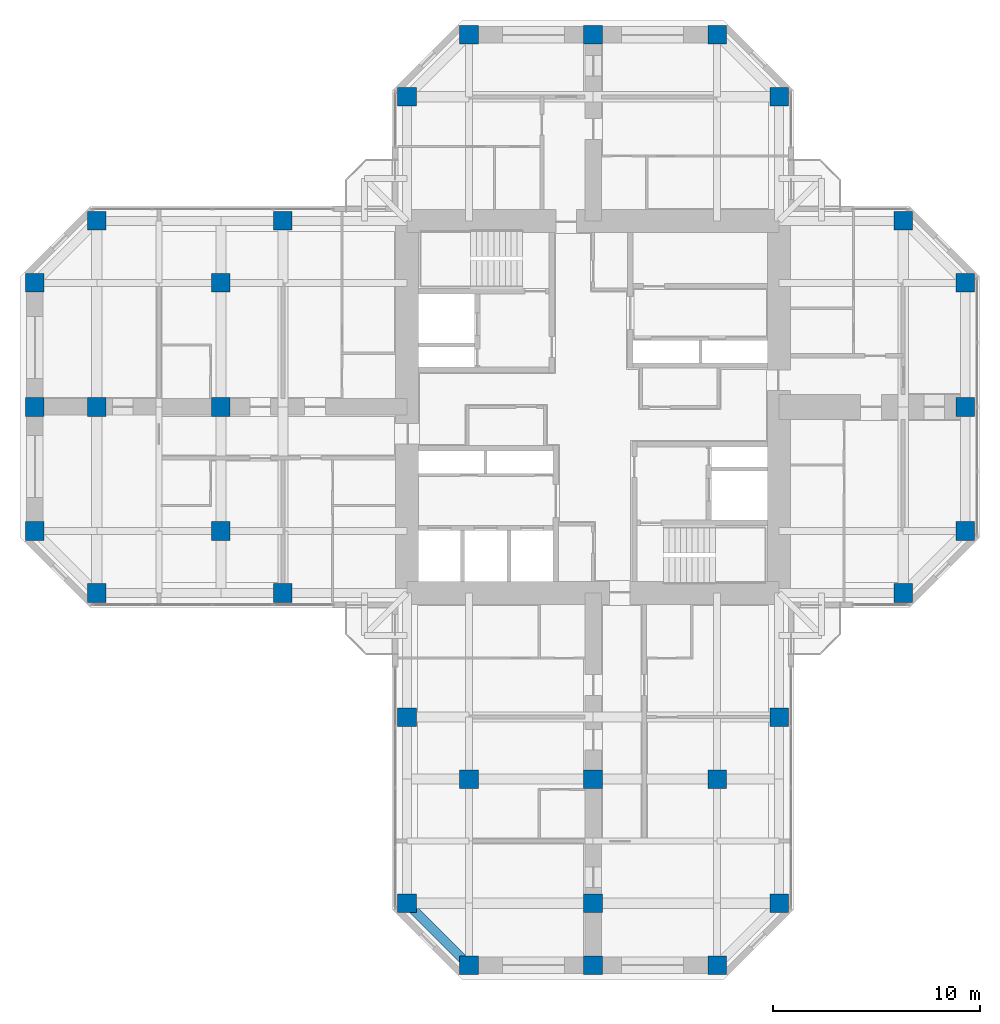
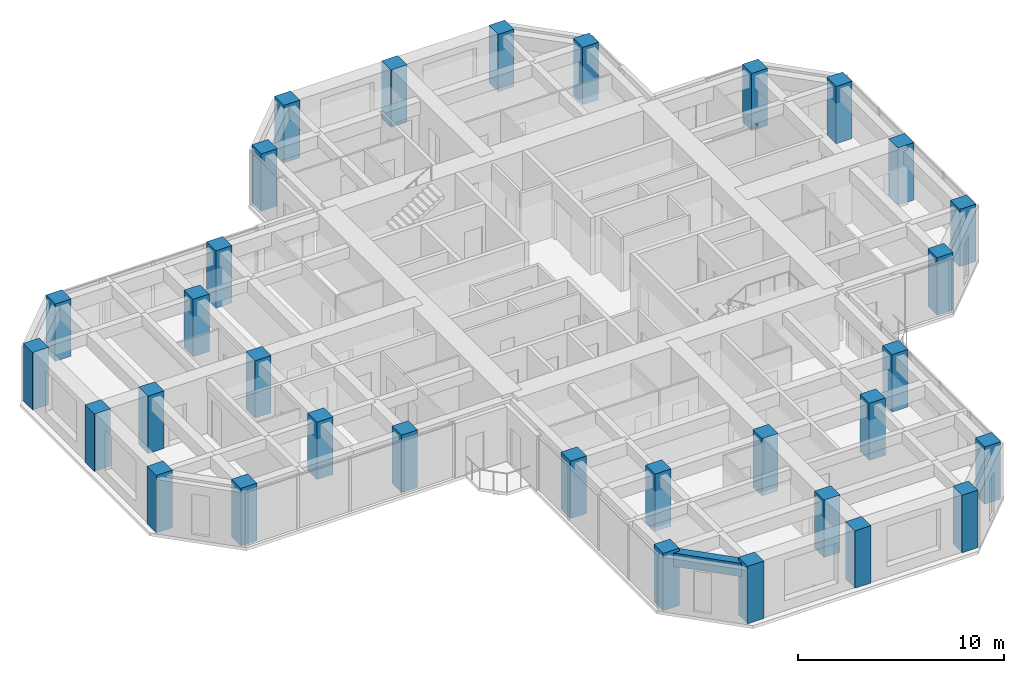
# One storey, part 1 of 14: 32 columns, 1 beam.
"""IFC4 building model written with IfcOpenShell, lengths in metres."""

from ifc_helpers import new_model, si_unit, direction, frame, origin, origin_2d, place, context, subcontext, project, spatial, rectangle, extrude, material, material_profile, profile_set, type_object, element, save


model = new_model("IFC4")

# Units and contexts
model_context = context("Model", 3, precision=1e-05, world=origin(), true_north=direction((0.0, 1.0)))
body_context = subcontext(model_context, "Body", "Model", "MODEL_VIEW")
ifc_project = project(units=[si_unit("LENGTHUNIT", "METRE"), si_unit("AREAUNIT", "SQUARE_METRE"), si_unit("VOLUMEUNIT", "CUBIC_METRE"), si_unit("PLANEANGLEUNIT", "RADIAN"), si_unit("MASSUNIT", "GRAM", prefix="KILO")], contexts=[model_context])

# Site, building, storey
site_placement = place(None, origin())
site = spatial("IfcSite", under=ifc_project, at=site_placement, CompositionType="ELEMENT")
building_placement = place(site_placement, origin())
building = spatial("IfcBuilding", under=site, at=building_placement, Name="Torre Cruceta", CompositionType="ELEMENT")
storey_placement = place(building_placement, frame((0.0, 0.0, 179.699951171875)))
storey = spatial("IfcBuildingStorey", under=building, at=storey_placement, Name="L44", CompositionType="ELEMENT", Elevation=179.699951171875)

# Columns
ifc_material_1 = material(Name="Concrete G60 (fck 60 MPa)", Category="concrete")
ifc_material_profile_1 = material_profile(ifc_material_1, rectangle(XDim=0.89990234375, YDim=0.89990234375, at=origin_2d()), Name="RC 900X900")
ifc_profile_set_1 = profile_set([ifc_material_profile_1], Name="Concrete G60 (fck 60 MPa)")
column_type = type_object("IfcColumnType", Name="COLUMN RC 900X900", PredefinedType="COLUMN", material=ifc_profile_set_1)
for number, where, z_axis, x_axis, name in (
    (1, (9.0, 15.0, 0.0), (0.0, 0.0, 1.0), (1.0, 0.0, 0.0), "C6 L44 N chamfer"),
    (2, (-9.0, 15.0, 0.0), (0.0, 0.0, 1.0), (1.0, 0.0, 0.0), "C6 L44 N chamfer"),
    (3, (6.0, 18.0, 0.0), (0.0, 0.0, 1.0), (1.0, 0.0, 0.0), "C6 L44 N tip"),
    (4, (0.0, 18.0, 0.0), (0.0, 0.0, 1.0), (1.0, 0.0, 0.0), "C6 L44 N tip"),
    (5, (-6.0, 18.0, 0.0), (0.0, 0.0, 1.0), (1.0, 0.0, 0.0), "C6 L44 N tip"),
    (6, (15.0, -9.0, 0.0), (0.0, 0.0, 1.0), (1.0, 0.0, 0.0), "C6 L44 E chamfer"),
    (7, (15.0, 9.0, 0.0), (0.0, 0.0, 1.0), (1.0, 0.0, 0.0), "C6 L44 E chamfer"),
    (8, (18.0, -6.0, 0.0), (0.0, 0.0, 1.0), (1.0, 0.0, 0.0), "C6 L44 E tip"),
    (9, (18.0, 0.0, 0.0), (0.0, 0.0, 1.0), (1.0, 0.0, 0.0), "C6 L44 E tip"),
    (10, (18.0, 6.0, 0.0), (0.0, 0.0, 1.0), (1.0, 0.0, 0.0), "C6 L44 E tip"),
    (11, (-9.0, -15.0, 0.0), (0.0, 0.0, 1.0), (1.0, 0.0, 0.0), "C6 L44 S side"),
    (12, (-9.0, -24.0, 0.0), (0.0, 0.0, 1.0), (1.0, 0.0, 0.0), "C6 L44 S chamfer"),
    (13, (9.0, -15.0, 0.0), (0.0, 0.0, 1.0), (1.0, 0.0, 0.0), "C6 L44 S side"),
    (14, (9.0, -24.0, 0.0), (0.0, 0.0, 1.0), (1.0, 0.0, 0.0), "C6 L44 S chamfer"),
    (15, (-6.0, -27.0, 0.0), (0.0, 0.0, 1.0), (1.0, 0.0, 0.0), "C6 L44 S tip"),
    (16, (0.0, -27.0, 0.0), (0.0, 0.0, 1.0), (1.0, 0.0, 0.0), "C6 L44 S tip"),
    (17, (6.0, -27.0, 0.0), (0.0, 0.0, 1.0), (1.0, 0.0, 0.0), "C6 L44 S tip"),
    (18, (-15.0, 9.0, 0.0), (0.0, 0.0, 1.0), (1.0, 0.0, 0.0), "C6 L44 W side"),
    (19, (-24.0, 9.0, 0.0), (0.0, 0.0, 1.0), (1.0, 0.0, 0.0), "C6 L44 W chamfer"),
    (20, (-15.0, -9.0, 0.0), (0.0, 0.0, 1.0), (1.0, 0.0, 0.0), "C6 L44 W side"),
    (21, (-24.0, -9.0, 0.0), (0.0, 0.0, 1.0), (1.0, 0.0, 0.0), "C6 L44 W chamfer"),
    (22, (-27.0, 6.0, 0.0), (0.0, 0.0, 1.0), (1.0, 0.0, 0.0), "C6 L44 W tip"),
    (23, (-27.0, 0.0, 0.0), (0.0, 0.0, 1.0), (1.0, 0.0, 0.0), "C6 L44 W tip"),
    (24, (-27.0, -6.0, 0.0), (0.0, 0.0, 1.0), (1.0, 0.0, 0.0), "C6 L44 W tip"),
    (25, (-6.0, -18.0, 0.0), (0.0, 0.0, 1.0), (1.0, 0.0, 0.0), "C6 L44 S interior"),
    (26, (0.0, -18.0, 0.0), (0.0, 0.0, 1.0), (1.0, 0.0, 0.0), "C6 L44 S interior"),
    (27, (6.0, -18.0, 0.0), (0.0, 0.0, 1.0), (1.0, 0.0, 0.0), "C6 L44 S interior"),
    (28, (0.0, -24.0, 0.0), (0.0, 0.0, 1.0), (1.0, 0.0, 0.0), "C6 L44 S interior"),
    (29, (-18.0, 6.0, 0.0), (0.0, 0.0, 1.0), (1.0, 0.0, 0.0), "C6 L44 W interior"),
    (30, (-18.0, 0.0, 0.0), (0.0, 0.0, 1.0), (1.0, 0.0, 0.0), "C6 L44 W interior"),
    (31, (-18.0, -6.0, 0.0), (0.0, 0.0, 1.0), (1.0, 0.0, 0.0), "C6 L44 W interior"),
    (32, (-24.0, 0.0, 0.0), (0.0, 0.0, 1.0), (1.0, 0.0, 0.0), "C6 L44 W interior"),
):
    element("IfcColumn", number, at=place(storey_placement, frame(where, z_axis=z_axis, x_axis=x_axis)), inside=storey, type_object=column_type, Name=name, PredefinedType="COLUMN", context=body_context, shape_type="SweptSolid", body=[
        extrude(rectangle(XDim=0.89990234375, YDim=0.89990234375, at=origin_2d()), origin(), (0.0, 0.0, 1.0), 3.400146484375),
    ])

# Beam
ifc_material_2 = material(Name="Concrete G60 (fck 60 MPa)", Category="concrete")
ifc_material_profile_2 = material_profile(ifc_material_2, rectangle(XDim=0.449951171875, YDim=0.800048828125, at=origin_2d()), Name="RC 450X800")
ifc_profile_set_2 = profile_set([ifc_material_profile_2], Name="Concrete G60 (fck 60 MPa)")
beam_type = type_object("IfcBeamType", Name="SPANDREL BEAM RC 450X800", PredefinedType="SPANDREL", material=ifc_profile_set_2)
beam_placement = place(storey_placement, frame((-9.0, -24.0, 2.820068359375), z_axis=(0.707106781187, -0.707106781187, 0.0), x_axis=(0.707106781187, 0.707106781187, 0.0)))
element("IfcBeam", 33, at=beam_placement, inside=storey, type_object=beam_type, Name="SB6 L44 S side- 5", PredefinedType="SPANDREL", context=body_context, shape_type="SweptSolid", body=[
    extrude(rectangle(XDim=0.449951171875, YDim=0.800048828125, at=origin_2d()), origin(), (0.0, 0.0, 1.0), 4.24267578125),
])

save(model, "model.ifc")
